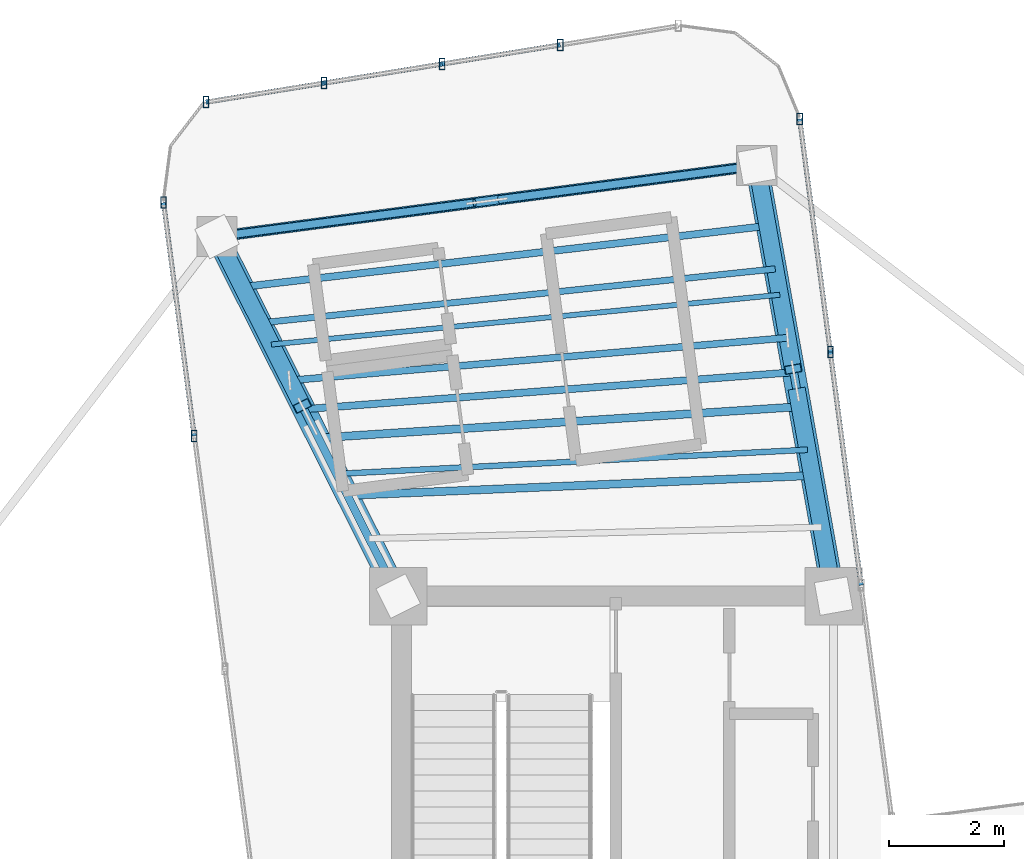
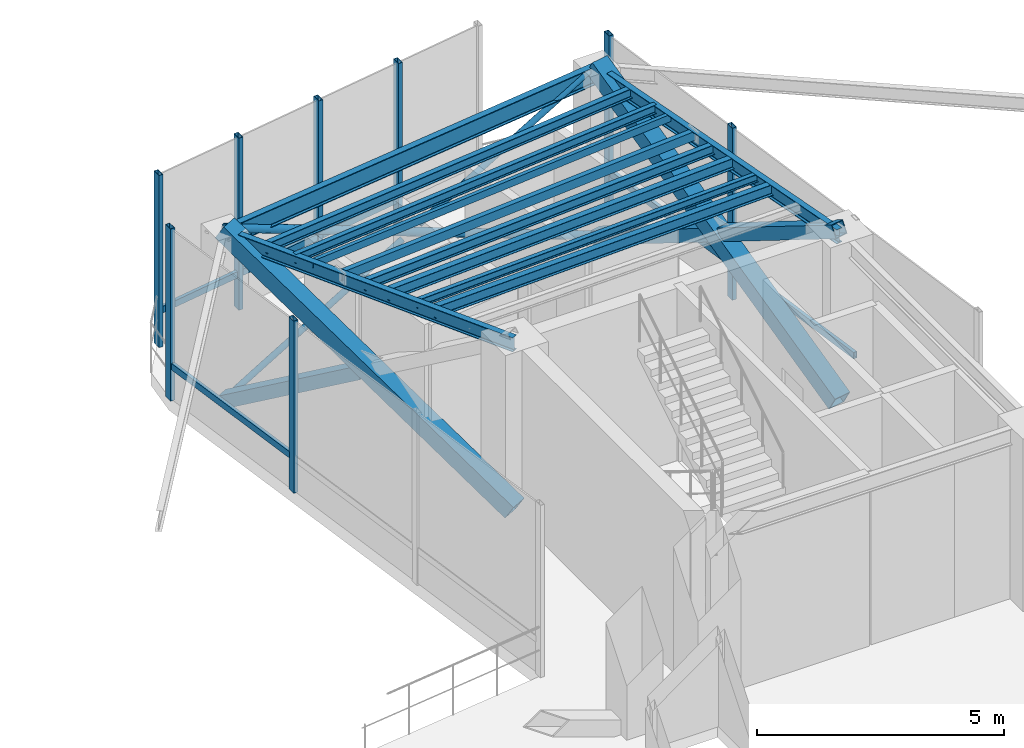
# One storey, part 9 of 17: 22 members, 11 beams, 3 elements without a shape of their own.
"""IFC4 building model written with IfcOpenShell, lengths in metres."""

from ifc_helpers import new_model, si_unit, direction, frame, origin, origin_2d, place, context, subcontext, project, spatial, hollow_rectangle, hollow_circle, i_section, extrude, source, transform, mapped, material, material_profile, profile_set, type_object, element, aggregate, save


model = new_model("IFC4")

# Units and contexts
model_context = context("Model", 3, precision=1e-05, world=origin(), true_north=direction((0.0, 1.0)))
body_context = subcontext(model_context, "Body", "Model", "MODEL_VIEW")
ifc_project = project(units=[si_unit("LENGTHUNIT", "METRE"), si_unit("AREAUNIT", "SQUARE_METRE"), si_unit("VOLUMEUNIT", "CUBIC_METRE"), si_unit("PLANEANGLEUNIT", "RADIAN"), si_unit("MASSUNIT", "GRAM", prefix="KILO")], contexts=[model_context])

# Site, building, storey
site_placement = place(None, origin())
site = spatial("IfcSite", under=ifc_project, at=site_placement, CompositionType="ELEMENT")
building_placement = place(site_placement, origin())
building = spatial("IfcBuilding", under=site, at=building_placement, Name="Sahyath Konkavel Grand Hotel", CompositionType="ELEMENT")
storey_placement = place(building_placement, frame((0.0, 0.0, 264.60009765625)))
storey = spatial("IfcBuildingStorey", under=building, at=storey_placement, Name="L74", CompositionType="ELEMENT", Elevation=264.60009765625)

# Beams
ifc_material_1 = material(Name="Steel E350", Category="steel")
ifc_material_profile_1 = material_profile(ifc_material_1, i_section(OverallWidth=0.139892578125, OverallDepth=0.35009765625, WebThickness=0.008056640625, FlangeThickness=0.01416015625, FilletRadius=0.013916015625, at=origin_2d()), Name="ISMB 350")
ifc_profile_set_1 = profile_set([ifc_material_profile_1], Name="Steel E350")
beam_type_1 = type_object("IfcBeamType", Name="BM-ISMB350", PredefinedType="BEAM", material=ifc_profile_set_1)
shared_shape_1 = source(origin(), body_context, "Body", "SweptSolid", [
    extrude(i_section(OverallWidth=0.139892578125, OverallDepth=0.35009765625, WebThickness=0.008056640625, FlangeThickness=0.01416015625, FilletRadius=0.013916015625, at=origin_2d()), origin(), (0.0, 0.0, 1.0), 7.631103515625),
])
beam_1_placement = place(storey_placement, frame((3.800048828125, 10.199951171875, 4.0849609375), z_axis=(-0.175734167088, 0.984437658015, 0.0), x_axis=(-0.984437658015, -0.175734167088, 0.0)))
element("IfcBeam", 1, at=beam_1_placement, inside=storey, type_object=beam_type_1, Name="L74 Cruciform Radial Girder NA", PredefinedType="BEAM", context=body_context, shape_type="MappedRepresentation", body=[
    mapped(shared_shape_1, transform((0.0, 0.0, 0.0), scale=1.0)),
])
shared_shape_2 = source(origin(), body_context, "Body", "SweptSolid", [
    extrude(i_section(OverallWidth=0.139892578125, OverallDepth=0.35009765625, WebThickness=0.008056640625, FlangeThickness=0.01416015625, FilletRadius=0.013916015625, at=origin_2d()), origin(), (0.0, 0.0, 1.0), 7.0234375),
])
beam_2_placement = place(storey_placement, frame((-3.800048828125, 10.199951171875, 4.0849609375), z_axis=(-0.449881274382, 0.893088371305, 0.0), x_axis=(-0.893088371305, -0.449881274382, 0.0)))
element("IfcBeam", 2, at=beam_2_placement, inside=storey, type_object=beam_type_1, Name="L74 Cruciform Radial Girder NB", PredefinedType="BEAM", context=body_context, shape_type="MappedRepresentation", body=[
    mapped(shared_shape_2, transform((0.0, 0.0, 0.0), scale=1.0)),
])
ifc_material_profile_2 = material_profile(ifc_material_1, i_section(OverallWidth=0.14990234375, OverallDepth=0.449951171875, WebThickness=0.009521484375, FlangeThickness=0.017333984375, FilletRadius=0.014892578125, at=origin_2d()), Name="ISMB 450")
ifc_profile_set_2 = profile_set([ifc_material_profile_2], Name="Steel E350")
beam_type_2 = type_object("IfcBeamType", Name="BM-ISMB450", PredefinedType="BEAM", material=ifc_profile_set_2)
shared_shape_3 = source(origin(), body_context, "Body", "SweptSolid", [
    extrude(i_section(OverallWidth=0.14990234375, OverallDepth=0.449951171875, WebThickness=0.009521484375, FlangeThickness=0.017333984375, FilletRadius=0.014892578125, at=origin_2d()), origin(), (0.0, 0.0, 1.0), 9.5),
])
beam_3_placement = place(storey_placement, frame((2.458984375, 17.71240234375, 4.034912109375), z_axis=(-0.991444933556, -0.130525643939, 0.0), x_axis=(0.130525643939, -0.991444933556, 0.0)))
element("IfcBeam", 3, at=beam_3_placement, inside=storey, type_object=beam_type_2, Name="L74 Wing Tip Edge Beam N", PredefinedType="BEAM", context=body_context, shape_type="MappedRepresentation", body=[
    mapped(shared_shape_3, transform((0.0, 0.0, 0.0), scale=1.0)),
])
ifc_material_profile_3 = material_profile(ifc_material_1, i_section(OverallWidth=0.139892578125, OverallDepth=0.27490234375, WebThickness=0.00634765625, FlangeThickness=0.0087890625, FilletRadius=0.012939453125, at=origin_2d()), Name="ISLB 275")
ifc_profile_set_3 = profile_set([ifc_material_profile_3], Name="Steel E350")
beam_type_3 = type_object("IfcBeamType", Name="BM-ISLB275", PredefinedType="BEAM", material=ifc_profile_set_3)
shared_shape_4 = source(origin(), body_context, "Body", "SweptSolid", [
    extrude(i_section(OverallWidth=0.139892578125, OverallDepth=0.27490234375, WebThickness=0.00634765625, FlangeThickness=0.0087890625, FilletRadius=0.012939453125, at=origin_2d()), origin(), (0.0, 0.0, 1.0), 8.11669921875),
])
beam_4_placement = place(storey_placement, frame((3.424560546875, 12.303466796875, 4.122314453125), z_axis=(-0.999084879956, -0.042771516718, 0.0), x_axis=(0.042771516718, -0.999084879956, 0.0)))
element("IfcBeam", 4, at=beam_4_placement, inside=storey, type_object=beam_type_3, Name="L74 Secondary Floor Beam N-1", PredefinedType="BEAM", context=body_context, shape_type="MappedRepresentation", body=[
    mapped(shared_shape_4, transform((0.0, 0.0, 0.0), scale=1.0)),
])
ifc_material_profile_4 = material_profile(ifc_material_1, i_section(OverallWidth=0.125, OverallDepth=0.25, WebThickness=0.0068359375, FlangeThickness=0.012451171875, FilletRadius=0.012939453125, at=origin_2d()), Name="ISMB 250")
ifc_profile_set_4 = profile_set([ifc_material_profile_4], Name="Steel E350")
beam_type_4 = type_object("IfcBeamType", Name="BM-ISMB250", PredefinedType="BEAM", material=ifc_profile_set_4)
shared_shape_5 = source(origin(), body_context, "Body", "SweptSolid", [
    extrude(i_section(OverallWidth=0.125, OverallDepth=0.25, WebThickness=0.0068359375, FlangeThickness=0.012451171875, FilletRadius=0.012939453125, at=origin_2d()), origin(), (0.0, 0.0, 1.0), 8.570068359375),
])
beam_5_placement = place(storey_placement, frame((3.102783203125, 14.1064453125, 4.135009765625), z_axis=(-0.997165854664, -0.075234688098, 0.0), x_axis=(0.075234688098, -0.997165854664, 0.0)))
element("IfcBeam", 5, at=beam_5_placement, inside=storey, type_object=beam_type_4, Name="L74 Secondary Floor Beam N-2", PredefinedType="BEAM", context=body_context, shape_type="MappedRepresentation", body=[
    mapped(shared_shape_5, transform((0.0, 0.0, 0.0), scale=1.0)),
])
ifc_material_profile_5 = material_profile(ifc_material_1, i_section(OverallWidth=0.110107421875, OverallDepth=0.22509765625, WebThickness=0.006591796875, FlangeThickness=0.01171875, FilletRadius=0.011962890625, at=origin_2d()), Name="ISMB 225")
ifc_profile_set_5 = profile_set([ifc_material_profile_5], Name="Steel E350")
beam_type_5 = type_object("IfcBeamType", Name="BM-ISMB225", PredefinedType="BEAM", material=ifc_profile_set_5)
shared_shape_6 = source(origin(), body_context, "Body", "SweptSolid", [
    extrude(i_section(OverallWidth=0.110107421875, OverallDepth=0.22509765625, WebThickness=0.006591796875, FlangeThickness=0.01171875, FilletRadius=0.011962890625, at=origin_2d()), origin(), (0.0, 0.0, 1.0), 9.03173828125),
])
beam_6_placement = place(storey_placement, frame((2.781005859375, 15.909423828125, 4.1474609375), z_axis=(-0.99454153435, -0.104341441688, 0.0), x_axis=(0.104341441688, -0.99454153435, 0.0)))
element("IfcBeam", 6, at=beam_6_placement, inside=storey, type_object=beam_type_5, Name="L74 Secondary Floor Beam N-3", PredefinedType="BEAM", context=body_context, shape_type="MappedRepresentation", body=[
    mapped(shared_shape_6, transform((0.0, 0.0, 0.0), scale=1.0)),
])

# Members
ifc_material_2 = material(Name="Steel E450", Category="steel")
ifc_material_profile_6 = material_profile(ifc_material_2, hollow_rectangle(XDim=0.39990234375, YDim=0.39990234375, WallThickness=0.02001953125, at=origin_2d()), Name="SHS 400x400x20")
ifc_profile_set_6 = profile_set([ifc_material_profile_6], Name="Steel E450")
member_type_1 = type_object("IfcMemberType", Name="BR-SHS400", PredefinedType="BRACE", material=ifc_profile_set_6)
shared_shape_7 = source(origin(), body_context, "Body", "SweptSolid", [
    extrude(hollow_rectangle(XDim=0.39990234375, YDim=0.39990234375, WallThickness=0.02001953125, at=origin_2d()), origin(), (0.0, 0.0, 1.0), 8.72998046875),
])
member_1_placement = place(storey_placement, frame((3.800048828125, 10.199951171875, 0.010009765625), z_axis=(-0.153615636754, 0.860532816049, 0.485680459404), x_axis=(-0.984437658015, -0.175734167088, 0.0)))
element("IfcMember", 7, at=member_1_placement, inside=storey, type_object=member_type_1, Name="L74 Core Outrigger Truss NA Continuous Diagonal 1", PredefinedType="BRACE", context=body_context, shape_type="MappedRepresentation", body=[
    mapped(shared_shape_7, transform((0.0, 0.0, 0.0), scale=1.0)),
])
ifc_material_profile_7 = material_profile(ifc_material_2, hollow_rectangle(XDim=0.300048828125, YDim=0.300048828125, WallThickness=0.01611328125, at=origin_2d()), Name="SHS 300x300x16")
ifc_profile_set_7 = profile_set([ifc_material_profile_7], Name="Steel E450")
member_type_2 = type_object("IfcMemberType", Name="BR-SHS300", PredefinedType="BRACE", material=ifc_profile_set_7)
shared_shape_8 = source(origin(), body_context, "Body", "SweptSolid", [
    extrude(hollow_rectangle(XDim=0.300048828125, YDim=0.300048828125, WallThickness=0.01611328125, at=origin_2d()), origin(), (0.0, 0.0, 1.0), 4.124755859375),
])
member_2_placement = place(storey_placement, frame((2.458984375, 17.71240234375, 0.010009765625), z_axis=(0.153654190825, -0.860546332978, 0.485644312682), x_axis=(0.984430504714, 0.175774234145, 0.0)))
element("IfcMember", 8, at=member_2_placement, inside=storey, type_object=member_type_2, Name="L74 Core Outrigger Truss NA Split Lower Diagonal 2A", PredefinedType="BRACE", context=body_context, shape_type="MappedRepresentation", body=[
    mapped(shared_shape_8, transform((0.0, 0.0, 0.0), scale=1.0)),
])
shared_shape_9 = source(origin(), body_context, "Body", "SweptSolid", [
    extrude(hollow_rectangle(XDim=0.300048828125, YDim=0.300048828125, WallThickness=0.01611328125, at=origin_2d()), origin(), (0.0, 0.0, 1.0), 4.125),
])
member_3_placement = place(storey_placement, frame((3.16650390625, 13.749755859375, 2.24658203125), z_axis=(0.153584160863, -0.860544778016, 0.485669219285), x_axis=(0.984444309225, 0.175696903882, 0.0)))
element("IfcMember", 9, at=member_3_placement, inside=storey, type_object=member_type_2, Name="L74 Core Outrigger Truss NA Split Upper Diagonal 2B", PredefinedType="BRACE", context=body_context, shape_type="MappedRepresentation", body=[
    mapped(shared_shape_9, transform((0.0, 0.0, 0.0), scale=1.0)),
])
shared_shape_10 = source(origin(), body_context, "Body", "SweptSolid", [
    extrude(hollow_rectangle(XDim=0.39990234375, YDim=0.39990234375, WallThickness=0.02001953125, at=origin_2d()), origin(), (0.0, 0.0, 1.0), 8.203857421875),
])
member_4_placement = place(storey_placement, frame((-3.800048828125, 10.199951171875, 0.010009765625), z_axis=(-0.385139867492, 0.764566023459, 0.516823062798), x_axis=(-0.893088371305, -0.449881274382, 0.0)))
element("IfcMember", 10, at=member_4_placement, inside=storey, type_object=member_type_1, Name="L74 Core Outrigger Truss NB Continuous Diagonal 1", PredefinedType="BRACE", context=body_context, shape_type="MappedRepresentation", body=[
    mapped(shared_shape_10, transform((0.0, 0.0, 0.0), scale=1.0)),
])
shared_shape_11 = source(origin(), body_context, "Body", "SweptSolid", [
    extrude(hollow_rectangle(XDim=0.300048828125, YDim=0.300048828125, WallThickness=0.01611328125, at=origin_2d()), origin(), (0.0, 0.0, 1.0), 3.86181640625),
])
member_5_placement = place(storey_placement, frame((-6.959716796875, 16.472412109375, 0.010009765625), z_axis=(0.385185626558, -0.764555221992, 0.516804939622), x_axis=(0.893064340928, 0.449928975465, 0.0)))
element("IfcMember", 11, at=member_5_placement, inside=storey, type_object=member_type_2, Name="L74 Core Outrigger Truss NB Split Lower Diagonal 2A", PredefinedType="BRACE", context=body_context, shape_type="MappedRepresentation", body=[
    mapped(shared_shape_11, transform((0.0, 0.0, 0.0), scale=1.0)),
])
ifc_material_profile_8 = material_profile(ifc_material_1, hollow_circle(Radius=0.096923828125, WallThickness=0.010009765625, at=origin_2d()), Name="CHS 193.7x10")
ifc_profile_set_8 = profile_set([ifc_material_profile_8], Name="Steel E350")
member_type_3 = type_object("IfcMemberType", Name="BR-CHS194", PredefinedType="BRACE", material=ifc_profile_set_8)
shared_shape_12 = source(origin(), body_context, "Body", "SweptSolid", [
    extrude(hollow_circle(Radius=0.096923828125, WallThickness=0.010009765625, at=origin_2d()), origin(), (0.0, 0.0, 1.0), 10.4033203125),
])
member_6_placement = place(storey_placement, frame((2.458984375, 17.71240234375, 0.010009765625), z_axis=(-0.905363868345, -0.119192905138, 0.407565108001), x_axis=(0.130525643939, -0.991444933556, 0.0)))
element("IfcMember", 12, at=member_6_placement, inside=storey, type_object=member_type_3, Name="L74 Perimeter Belt Truss TIP-N Continuous Diagonal 1", PredefinedType="BRACE", context=body_context, shape_type="MappedRepresentation", body=[
    mapped(shared_shape_12, transform((0.0, 0.0, 0.0), scale=1.0)),
])
ifc_material_profile_9 = material_profile(ifc_material_1, hollow_circle(Radius=0.06982421875, WallThickness=0.008056640625, at=origin_2d()), Name="CHS 139.7x8")
ifc_profile_set_9 = profile_set([ifc_material_profile_9], Name="Steel E350")
member_type_4 = type_object("IfcMemberType", Name="BR-CHS140", PredefinedType="STRUT", material=ifc_profile_set_9)
shared_shape_13 = source(origin(), body_context, "Body", "SweptSolid", [
    extrude(hollow_circle(Radius=0.06982421875, WallThickness=0.008056640625, at=origin_2d()), origin(), (0.0, 0.0, 1.0), 4.961669921875),
])
member_7_placement = place(storey_placement, frame((-6.959716796875, 16.472412109375, 0.010009765625), z_axis=(0.905380199159, 0.119224794704, 0.407519500513), x_axis=(-0.130557655504, 0.991440718646, 0.0)))
element("IfcMember", 13, at=member_7_placement, inside=storey, type_object=member_type_4, Name="L74 Perimeter Belt Truss TIP-N Split Lower Diagonal 2A", PredefinedType="STRUT", context=body_context, shape_type="MappedRepresentation", body=[
    mapped(shared_shape_13, transform((0.0, 0.0, 0.0), scale=1.0)),
])
shared_shape_14 = source(origin(), body_context, "Body", "SweptSolid", [
    extrude(hollow_circle(Radius=0.06982421875, WallThickness=0.008056640625, at=origin_2d()), origin(), (0.0, 0.0, 1.0), 4.96142578125),
])
member_8_placement = place(storey_placement, frame((-2.032958984375, 17.12109375, 2.227783203125), z_axis=(0.905358481118, 0.119179207634, 0.407581080444), x_axis=(-0.130511662961, 0.991446774079, 0.0)))
element("IfcMember", 14, at=member_8_placement, inside=storey, type_object=member_type_4, Name="L74 Perimeter Belt Truss TIP-N Split Upper Diagonal 2B", PredefinedType="STRUT", context=body_context, shape_type="MappedRepresentation", body=[
    mapped(shared_shape_14, transform((0.0, 0.0, 0.0), scale=1.0)),
])

# Beams
ifc_material_profile_10 = material_profile(ifc_material_1, i_section(OverallWidth=0.10009765625, OverallDepth=0.199951171875, WebThickness=0.005615234375, FlangeThickness=0.0107421875, FilletRadius=0.010986328125, at=origin_2d()), Name="ISMB 200")
ifc_profile_set_10 = profile_set([ifc_material_profile_10], Name="Steel E350")
beam_type_6 = type_object("IfcBeamType", Name="BM-ISMB200", PredefinedType="BEAM", material=ifc_profile_set_10)
shared_shape_15 = source(origin(), body_context, "Body", "SweptSolid", [
    extrude(i_section(OverallWidth=0.10009765625, OverallDepth=0.199951171875, WebThickness=0.005615234375, FlangeThickness=0.0107421875, FilletRadius=0.010986328125, at=origin_2d()), origin(), (0.0, 0.0, 1.0), 8.22900390625),
])
beam_7_placement = place(storey_placement, frame((3.343994140625, 12.754150390625, 4.159912109375), z_axis=(-0.998686534875, -0.051236754968, 0.0), x_axis=(0.051236754968, -0.998686534875, 0.0)))
element("IfcBeam", 15, at=beam_7_placement, inside=storey, type_object=beam_type_6, Name="L74 Composite Deck Sub-Beam N-2", PredefinedType="BEAM", context=body_context, shape_type="MappedRepresentation", body=[
    mapped(shared_shape_15, transform((0.0, 0.0, 0.0), scale=1.0)),
])
shared_shape_16 = source(origin(), body_context, "Body", "SweptSolid", [
    extrude(i_section(OverallWidth=0.139892578125, OverallDepth=0.27490234375, WebThickness=0.00634765625, FlangeThickness=0.0087890625, FilletRadius=0.012939453125, at=origin_2d()), origin(), (0.0, 0.0, 1.0), 8.41796875),
])
beam_8_placement = place(storey_placement, frame((3.2099609375, 13.505615234375, 4.122314453125), z_axis=(-0.997896901011, -0.064821099595, 0.0), x_axis=(0.064821099595, -0.997896901011, 0.0)))
element("IfcBeam", 16, at=beam_8_placement, inside=storey, type_object=beam_type_3, Name="L74 Composite Deck Sub-Beam N-3", PredefinedType="BEAM", context=body_context, shape_type="MappedRepresentation", body=[
    mapped(shared_shape_16, transform((0.0, 0.0, 0.0), scale=1.0)),
])
ifc_material_profile_11 = material_profile(ifc_material_1, hollow_rectangle(XDim=0.1201171875, YDim=0.219970703125, WallThickness=0.010009765625, at=origin_2d()), Name="RHS 220x120x10")
ifc_profile_set_11 = profile_set([ifc_material_profile_11], Name="Steel E350")
beam_type_7 = type_object("IfcBeamType", Name="BM-RHS220", PredefinedType="BEAM", material=ifc_profile_set_11)
shared_shape_17 = source(origin(), body_context, "Body", "SweptSolid", [
    extrude(hollow_rectangle(XDim=0.1201171875, YDim=0.219970703125, WallThickness=0.010009765625, at=origin_2d()), origin(), (0.0, 0.0, 1.0), 8.72314453125),
])
beam_9_placement = place(storey_placement, frame((2.99560546875, 14.70751953125, 4.14990234375), z_axis=(-0.996354809397, -0.085305883681, 0.0), x_axis=(0.085305883681, -0.996354809397, 0.0)))
element("IfcBeam", 17, at=beam_9_placement, inside=storey, type_object=beam_type_7, Name="L74 Composite Deck Sub-Beam N-4", PredefinedType="BEAM", context=body_context, shape_type="MappedRepresentation", body=[
    mapped(shared_shape_17, transform((0.0, 0.0, 0.0), scale=1.0)),
])
ifc_material_profile_12 = material_profile(ifc_material_1, hollow_rectangle(XDim=0.090087890625, YDim=0.179931640625, WallThickness=0.008056640625, at=origin_2d()), Name="RHS 180x90x8")
ifc_profile_set_12 = profile_set([ifc_material_profile_12], Name="Steel E350")
beam_type_8 = type_object("IfcBeamType", Name="BM-RHS180", PredefinedType="BEAM", material=ifc_profile_set_12)
shared_shape_18 = source(origin(), body_context, "Body", "SweptSolid", [
    extrude(hollow_rectangle(XDim=0.090087890625, YDim=0.179931640625, WallThickness=0.008056640625, at=origin_2d()), origin(), (0.0, 0.0, 1.0), 8.915283203125),
])
beam_10_placement = place(storey_placement, frame((2.861328125, 15.458740234375, 4.169921875), z_axis=(-0.995250138935, -0.097350711092, 0.0), x_axis=(0.097350711092, -0.995250138935, 0.0)))
element("IfcBeam", 18, at=beam_10_placement, inside=storey, type_object=beam_type_8, Name="L74 Composite Deck Sub-Beam N-5", PredefinedType="BEAM", context=body_context, shape_type="MappedRepresentation", body=[
    mapped(shared_shape_18, transform((0.0, 0.0, 0.0), scale=1.0)),
])
shared_shape_19 = source(origin(), body_context, "Body", "SweptSolid", [
    extrude(i_section(OverallWidth=0.125, OverallDepth=0.25, WebThickness=0.0068359375, FlangeThickness=0.012451171875, FilletRadius=0.012939453125, at=origin_2d()), origin(), (0.0, 0.0, 1.0), 9.225830078125),
])
beam_11_placement = place(storey_placement, frame((2.646728515625, 16.660888671875, 4.135009765625), z_axis=(-0.993294170833, -0.115614403036, 0.0), x_axis=(0.115614403036, -0.993294170833, 0.0)))
element("IfcBeam", 19, at=beam_11_placement, inside=storey, type_object=beam_type_4, Name="L74 Composite Deck Sub-Beam N-6", PredefinedType="BEAM", context=body_context, shape_type="MappedRepresentation", body=[
    mapped(shared_shape_19, transform((0.0, 0.0, 0.0), scale=1.0)),
])

# Curtain wall, members
ifc_material_3 = material(Name="Anodised Bronze Aluminium & Low-E Glazing", Category="aluminium")
curtain_wall_type = type_object("IfcCurtainWallType", Name="CW-SKYLOBBY", PredefinedType="NOTDEFINED", material=ifc_material_3)
curtain_wall_1_placement = place(storey_placement, origin())
curtain_wall_1 = element("IfcCurtainWall", 20, at=curtain_wall_1_placement, inside=storey, type_object=curtain_wall_type, Name="L74 Unitised Curtain Wall RF8", PredefinedType="NOTDEFINED")
ifc_material_4 = material(Name="Anodised Bronze Aluminium", Category="aluminium")
ifc_material_profile_13 = material_profile(ifc_material_4, hollow_rectangle(XDim=0.10009765625, YDim=0.199951171875, WallThickness=0.008056640625, at=origin_2d()), Name="RHS 200x100x8")
ifc_profile_set_13 = profile_set([ifc_material_profile_13], Name="Anodised Bronze Aluminium")
member_type_5 = type_object("IfcMemberType", Name="CW-MUL-200", PredefinedType="MULLION", material=ifc_profile_set_13)
shared_shape_20 = source(origin(), body_context, "Body", "SweptSolid", [
    extrude(hollow_rectangle(XDim=0.10009765625, YDim=0.199951171875, WallThickness=0.008056640625, at=origin_2d()), origin(), (0.0, 0.0, 1.0), 4.260009765625),
])
member_9_placement = place(storey_placement, frame((3.74462890625, 14.458984375, 0.0), z_axis=(0.0, 0.0, 1.0), x_axis=(1.0, 0.0, 0.0)))
member_9 = element("IfcMember", 21, at=member_9_placement, type_object=member_type_5, Name="L74 Curtain Wall Mullion RF8-2", PredefinedType="MULLION", context=body_context, shape_type="MappedRepresentation", body=[
    mapped(shared_shape_20, transform((0.0, 0.0, 0.0), scale=1.0)),
])
member_10_placement = place(storey_placement, frame((3.208984375, 18.52734375, 0.0), z_axis=(0.0, 0.0, 1.0), x_axis=(1.0, 0.0, 0.0)))
member_10 = element("IfcMember", 22, at=member_10_placement, type_object=member_type_5, Name="L74 Curtain Wall Mullion RF8-3", PredefinedType="MULLION", context=body_context, shape_type="MappedRepresentation", body=[
    mapped(shared_shape_20, transform((0.0, 0.0, 0.0), scale=1.0)),
])

curtain_wall_2_placement = place(storey_placement, origin())
curtain_wall_2 = element("IfcCurtainWall", 23, at=curtain_wall_2_placement, inside=storey, type_object=curtain_wall_type, Name="L74 Unitised Curtain Wall RF12", PredefinedType="NOTDEFINED")
member_11_placement = place(storey_placement, frame((-0.9716796875, 19.8203125, 0.0), z_axis=(0.0, 0.0, 1.0), x_axis=(1.0, 0.0, 0.0)))
member_11 = element("IfcMember", 24, at=member_11_placement, type_object=member_type_5, Name="L74 Curtain Wall Mullion RF12-1", PredefinedType="MULLION", context=body_context, shape_type="MappedRepresentation", body=[
    mapped(shared_shape_20, transform((0.0, 0.0, 0.0), scale=1.0)),
])
member_12_placement = place(storey_placement, frame((-3.031982421875, 19.487060546875, 0.0), z_axis=(0.0, 0.0, 1.0), x_axis=(1.0, 0.0, 0.0)))
member_12 = element("IfcMember", 25, at=member_12_placement, type_object=member_type_5, Name="L74 Curtain Wall Mullion RF12-2", PredefinedType="MULLION", context=body_context, shape_type="MappedRepresentation", body=[
    mapped(shared_shape_20, transform((0.0, 0.0, 0.0), scale=1.0)),
])
member_13_placement = place(storey_placement, frame((-5.09228515625, 19.15380859375, 0.0), z_axis=(0.0, 0.0, 1.0), x_axis=(1.0, 0.0, 0.0)))
member_13 = element("IfcMember", 26, at=member_13_placement, type_object=member_type_5, Name="L74 Curtain Wall Mullion RF12-3", PredefinedType="MULLION", context=body_context, shape_type="MappedRepresentation", body=[
    mapped(shared_shape_20, transform((0.0, 0.0, 0.0), scale=1.0)),
])
member_14_placement = place(storey_placement, frame((-7.15283203125, 18.82080078125, 0.0), z_axis=(0.0, 0.0, 1.0), x_axis=(1.0, 0.0, 0.0)))
member_14 = element("IfcMember", 27, at=member_14_placement, type_object=member_type_5, Name="L74 Curtain Wall Mullion RF12-4", PredefinedType="MULLION", context=body_context, shape_type="MappedRepresentation", body=[
    mapped(shared_shape_20, transform((0.0, 0.0, 0.0), scale=1.0)),
])

curtain_wall_3_placement = place(storey_placement, origin())
curtain_wall_3 = element("IfcCurtainWall", 28, at=curtain_wall_3_placement, inside=storey, type_object=curtain_wall_type, Name="L74 Unitised Curtain Wall RF15", PredefinedType="NOTDEFINED")
member_15_placement = place(storey_placement, frame((-7.89501953125, 17.0654296875, 0.0), z_axis=(0.0, 0.0, 1.0), x_axis=(1.0, 0.0, 0.0)))
member_15 = element("IfcMember", 29, at=member_15_placement, type_object=member_type_5, Name="L74 Curtain Wall Mullion RF15-0", PredefinedType="MULLION", context=body_context, shape_type="MappedRepresentation", body=[
    mapped(shared_shape_20, transform((0.0, 0.0, 0.0), scale=1.0)),
])
member_16_placement = place(storey_placement, frame((-7.359619140625, 12.997314453125, 0.0), z_axis=(0.0, 0.0, 1.0), x_axis=(1.0, 0.0, 0.0)))
member_16 = element("IfcMember", 30, at=member_16_placement, type_object=member_type_5, Name="L74 Curtain Wall Mullion RF15-1", PredefinedType="MULLION", context=body_context, shape_type="MappedRepresentation", body=[
    mapped(shared_shape_20, transform((0.0, 0.0, 0.0), scale=1.0)),
])

# Member
ifc_material_profile_14 = material_profile(ifc_material_4, hollow_rectangle(XDim=0.080078125, YDim=0.159912109375, WallThickness=0.006103515625, at=origin_2d()), Name="RHS 160x80x6")
ifc_profile_set_14 = profile_set([ifc_material_profile_14], Name="Anodised Bronze Aluminium")
member_type_6 = type_object("IfcMemberType", Name="CW-TRN-160", PredefinedType="USERDEFINED", material=ifc_profile_set_14)
shared_shape_21 = source(origin(), body_context, "Body", "SweptSolid", [
    extrude(hollow_rectangle(XDim=0.080078125, YDim=0.159912109375, WallThickness=0.006103515625, at=origin_2d()), origin(), (0.0, 0.0, 1.0), 2.08740234375),
])
member_17_placement = place(storey_placement, frame((-5.09228515625, 19.15380859375, 0.849853515625), z_axis=(-0.98719124923, -0.159541334591, 0.0), x_axis=(0.159541334591, -0.98719124923, 0.0)))
member_17 = element("IfcMember", 31, at=member_17_placement, type_object=member_type_6, Name="L74 Curtain Wall Transom RF12-3-spandrel", ObjectType="TRANSOM", PredefinedType="USERDEFINED", context=body_context, shape_type="MappedRepresentation", body=[
    mapped(shared_shape_21, transform((0.0, 0.0, 0.0), scale=1.0)),
])

shared_shape_22 = source(origin(), body_context, "Body", "SweptSolid", [
    extrude(hollow_rectangle(XDim=0.080078125, YDim=0.159912109375, WallThickness=0.006103515625, at=origin_2d()), origin(), (0.0, 0.0, 1.0), 2.087158203125),
])
member_18_placement = place(storey_placement, frame((-0.9716796875, 19.8203125, 0.849853515625), z_axis=(-0.98716983924, -0.159673756436, 0.0), x_axis=(0.159673756436, -0.98716983924, 0.0)))
member_18 = element("IfcMember", 32, at=member_18_placement, type_object=member_type_6, Name="L74 Curtain Wall Transom RF12-1-spandrel", ObjectType="TRANSOM", PredefinedType="USERDEFINED", context=body_context, shape_type="MappedRepresentation", body=[
    mapped(shared_shape_22, transform((0.0, 0.0, 0.0), scale=1.0)),
])

member_19_placement = place(storey_placement, frame((-3.031982421875, 19.487060546875, 0.849853515625), z_axis=(-0.98716983924, -0.159673756436, 0.0), x_axis=(0.159673756436, -0.98716983924, 0.0)))
member_19 = element("IfcMember", 33, at=member_19_placement, type_object=member_type_6, Name="L74 Curtain Wall Transom RF12-2-spandrel", ObjectType="TRANSOM", PredefinedType="USERDEFINED", context=body_context, shape_type="MappedRepresentation", body=[
    mapped(shared_shape_22, transform((0.0, 0.0, 0.0), scale=1.0)),
])

aggregate(curtain_wall_2, [member_11, member_12, member_13, member_14, member_18, member_19, member_17])

shared_shape_23 = source(origin(), body_context, "Body", "SweptSolid", [
    extrude(hollow_rectangle(XDim=0.080078125, YDim=0.159912109375, WallThickness=0.006103515625, at=origin_2d()), origin(), (0.0, 0.0, 1.0), 4.103271484375),
])
member_20_placement = place(storey_placement, frame((4.2802734375, 10.390869140625, 0.849853515625), z_axis=(-0.130542242661, 0.991442748161, 0.0), x_axis=(-0.991442748161, -0.130542242661, 0.0)))
member_20 = element("IfcMember", 34, at=member_20_placement, type_object=member_type_6, Name="L74 Curtain Wall Transom RF8-1-spandrel", ObjectType="TRANSOM", PredefinedType="USERDEFINED", context=body_context, shape_type="MappedRepresentation", body=[
    mapped(shared_shape_23, transform((0.0, 0.0, 0.0), scale=1.0)),
])

member_21_placement = place(storey_placement, frame((-7.89501953125, 17.0654296875, 0.849853515625), z_axis=(0.130483756275, -0.991450447248, 0.0), x_axis=(0.991450447248, 0.130483756275, 0.0)))
member_21 = element("IfcMember", 35, at=member_21_placement, type_object=member_type_6, Name="L74 Curtain Wall Transom RF15-0-spandrel", ObjectType="TRANSOM", PredefinedType="USERDEFINED", context=body_context, shape_type="MappedRepresentation", body=[
    mapped(shared_shape_23, transform((0.0, 0.0, 0.0), scale=1.0)),
])

aggregate(curtain_wall_3, [member_15, member_16, member_21])

shared_shape_24 = source(origin(), body_context, "Body", "SweptSolid", [
    extrude(hollow_rectangle(XDim=0.080078125, YDim=0.159912109375, WallThickness=0.006103515625, at=origin_2d()), origin(), (0.0, 0.0, 1.0), 4.103515625),
])
member_22_placement = place(storey_placement, frame((3.74462890625, 14.458984375, 0.849853515625), z_axis=(-0.130534542359, 0.991443762021, 0.0), x_axis=(-0.991443762021, -0.130534542359, 0.0)))
member_22 = element("IfcMember", 36, at=member_22_placement, type_object=member_type_6, Name="L74 Curtain Wall Transom RF8-2-spandrel", ObjectType="TRANSOM", PredefinedType="USERDEFINED", context=body_context, shape_type="MappedRepresentation", body=[
    mapped(shared_shape_24, transform((0.0, 0.0, 0.0), scale=1.0)),
])

aggregate(curtain_wall_1, [member_9, member_10, member_20, member_22])

save(model, "model.ifc")
